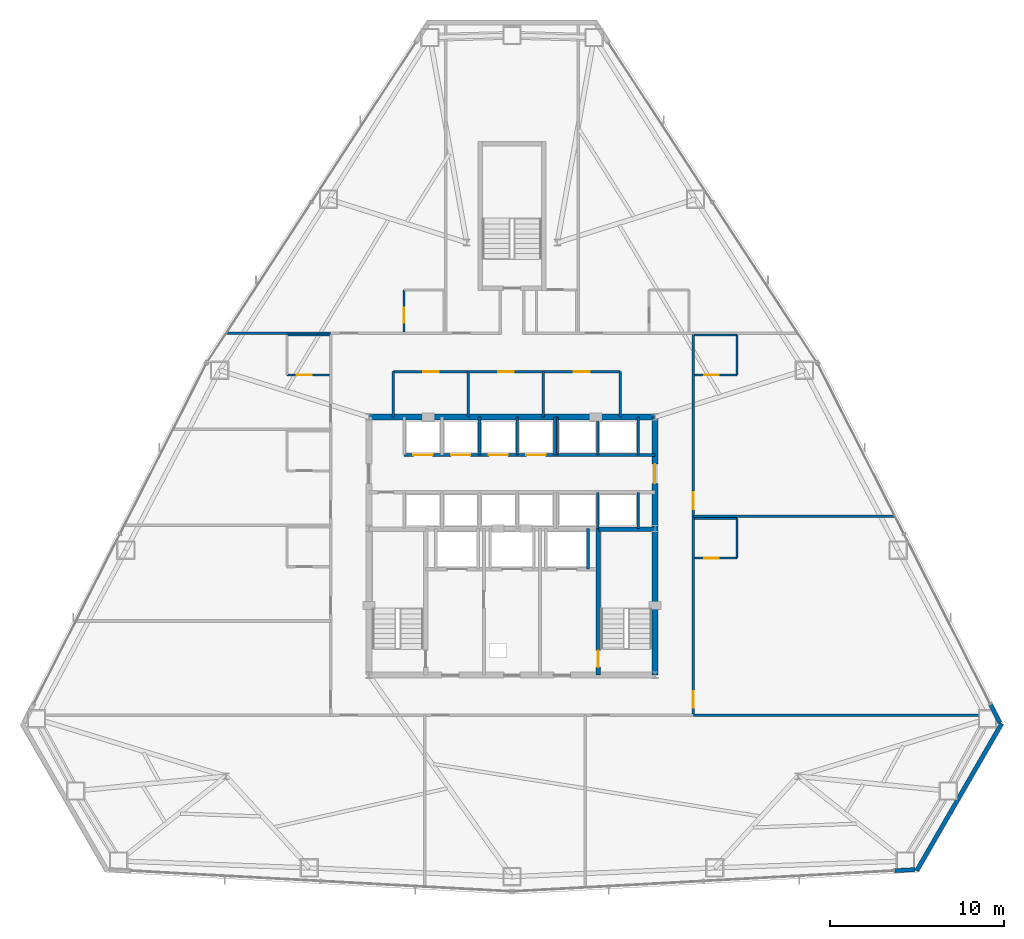
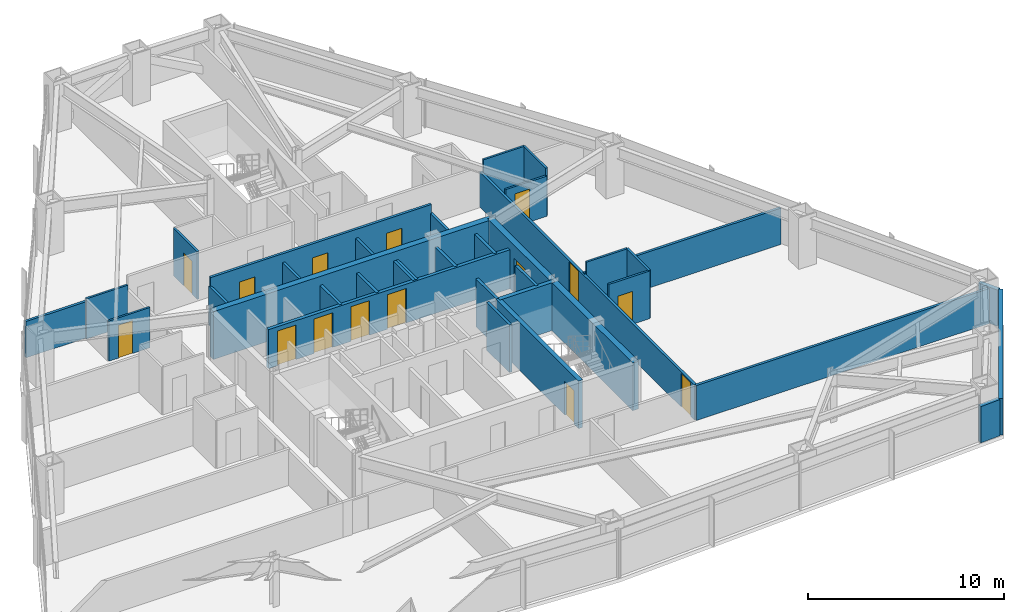
# One storey, part 10 of 12: 35 walls, 15 doors, 15 openings.
"""IFC4 building model written with IfcOpenShell, lengths in metres."""

import ifcopenshell
import ifcopenshell.guid

model = None  # the IFC model being written
_history = None  # IfcOwnerHistory: only IFC2X3 demands one
_inside = {}  # id of a spatial element -> (the spatial element, [elements in it])
_under = {}  # id of a project, library or spatial element -> (it, [spatial elements below it])
_declared = {}  # id of a project -> (the project, [libraries it declares])
_typed = {}  # id of a type object -> (the type object, [elements of that type])
_made_of = {}  # id of a material, layer set ... -> (it, [elements and type objects made of it])


def new_model(schema):
    """Start an empty IFC model of exactly this schema.

    Asked for "IFC4X3", IfcOpenShell would pick the latest addendum, in which some entities
    have other attributes; the version numbers below select the first issue.
    IFC2X3 requires an IfcOwnerHistory on every rooted entity: one is made here for all.
    """
    global model, _history
    if schema == "IFC4X3":
        model = ifcopenshell.file(schema_version=(4, 3, 0, 0))
    else:
        model = ifcopenshell.file(schema=schema)
    _inside.clear()
    _under.clear()
    _declared.clear()
    _typed.clear()
    _made_of.clear()
    _history = None
    if model.schema == "IFC2X3":
        org = make("IfcOrganization", Name="unknown")
        user = make(
            "IfcPersonAndOrganization",
            ThePerson=make("IfcPerson", FamilyName="unknown"),
            TheOrganization=org,
        )
        app = make(
            "IfcApplication",
            ApplicationDeveloper=org,
            Version="unknown",
            ApplicationFullName="unknown",
            ApplicationIdentifier="unknown",
        )
        _history = make(
            "IfcOwnerHistory",
            OwningUser=user,
            OwningApplication=app,
            ChangeAction="ADDED",
            CreationDate=0,
        )
    return model


def make(cls, **values):
    """One entity of the class cls with the attributes given. An attribute that is None is left unset."""
    return model.create_entity(
        cls, **{name: value for name, value in values.items() if value is not None}
    )


def rooted(cls, **values):
    """An entity with a GlobalId (a new one), such as an element, a storey or a relation."""
    return make(cls, GlobalId=ifcopenshell.guid.new(), OwnerHistory=_history, **values)


def si_unit(unit_type, name, prefix=None):
    """IfcSIUnit, for example si_unit("LENGTHUNIT", "METRE", prefix="MILLI")."""
    return make("IfcSIUnit", UnitType=unit_type, Prefix=prefix, Name=name)


def assignment(units):
    """IfcUnitAssignment: the units of a project."""
    return None if units is None else make("IfcUnitAssignment", Units=units)


def point(xyz):
    """IfcCartesianPoint."""
    return None if xyz is None else make("IfcCartesianPoint", Coordinates=xyz)


def direction(xyz):
    """IfcDirection."""
    return None if xyz is None else make("IfcDirection", DirectionRatios=xyz)


def frame(location, z_axis=None, x_axis=None):
    """IfcAxis2Placement3D, a coordinate frame: its origin and axes. An axis left out is left unset."""
    return make(
        "IfcAxis2Placement3D",
        Location=point(location),
        Axis=direction(z_axis),
        RefDirection=direction(x_axis),
    )


def frame_2d(location, x_axis=None):
    """IfcAxis2Placement2D, a coordinate frame in the plane: its origin and x axis."""
    return make(
        "IfcAxis2Placement2D", Location=point(location), RefDirection=direction(x_axis)
    )


def origin():
    """The frame at (0, 0, 0) with its axes left unset."""
    return frame((0.0, 0.0, 0.0))


def place(relative_to, where):
    """IfcLocalPlacement: puts the frame where relative to a parent placement (None: the world)."""
    return make(
        "IfcLocalPlacement", PlacementRelTo=relative_to, RelativePlacement=where
    )


def context(
    kind, dimensions, precision=None, world=None, true_north=None, identifier=None
):
    """IfcGeometricRepresentationContext, for example the 3D "Model" context."""
    return make(
        "IfcGeometricRepresentationContext",
        ContextIdentifier=identifier,
        ContextType=kind,
        CoordinateSpaceDimension=dimensions,
        Precision=precision,
        WorldCoordinateSystem=world,
        TrueNorth=true_north,
    )


def subcontext(parent, identifier, kind, view, scale=None):
    """IfcGeometricRepresentationSubContext, for example "Body" below "Model"."""
    return make(
        "IfcGeometricRepresentationSubContext",
        ContextIdentifier=identifier,
        ContextType=kind,
        ParentContext=parent,
        TargetScale=scale,
        TargetView=view,
    )


def project(units=None, contexts=None):
    """IfcProject with its units and contexts."""
    return rooted(
        "IfcProject",
        Name="project",
        RepresentationContexts=contexts,
        UnitsInContext=assignment(units),
    )


def spatial(cls, under=None, at=None, **own):
    """A site, building, storey or space (cls), placed at a placement, below another one or the project."""
    s = rooted(cls, ObjectPlacement=at, **own)
    if under is not None:
        _under.setdefault(under.id(), (under, []))[1].append(s)
    return s


def profile(cls, at=None, kind="AREA", **sizes):
    """A parametric profile (cls). Its sizes go by their IFC names, for example OverallWidth=200.0."""
    return make(cls, ProfileType=kind, Position=at, **sizes)


def rectangle(**sizes):
    """IfcRectangleProfileDef."""
    return profile("IfcRectangleProfileDef", **sizes)


def extrude(swept, where, along, depth):
    """IfcExtrudedAreaSolid: the profile swept, set in the frame where, extruded along a direction by depth."""
    return make(
        "IfcExtrudedAreaSolid",
        SweptArea=swept,
        Position=where,
        ExtrudedDirection=direction(along),
        Depth=depth,
    )


def shape(context_of_items, identifier, shape_type, items):
    """IfcShapeRepresentation: the items that make up one representation, for example the "Body"."""
    return make(
        "IfcShapeRepresentation",
        ContextOfItems=context_of_items,
        RepresentationIdentifier=identifier,
        RepresentationType=shape_type,
        Items=items,
    )


def material(Name=None, Category=None):
    """IfcMaterial."""
    return make("IfcMaterial", Name=Name, Category=Category)


def layer(
    of_material, thickness, ventilated=None, Name=None, Category=None, Priority=None
):
    """IfcMaterialLayer: one layer of a wall or slab, of a material (None: an air gap)."""
    return make(
        "IfcMaterialLayer",
        Material=of_material,
        LayerThickness=thickness,
        IsVentilated=ventilated,
        Name=Name,
        Category=Category,
        Priority=Priority,
    )


def layer_set(layers, Name=None):
    """IfcMaterialLayerSet."""
    return make("IfcMaterialLayerSet", MaterialLayers=layers, LayerSetName=Name)


def made_of(thing, what):
    """Note that an element or type object is made of a material, layer set ...; save() writes the relation."""
    if what is not None:
        _made_of.setdefault(what.id(), (what, []))[1].append(thing)
    return thing


def type_object(cls, material=None, **own):
    """A type object (cls), such as IfcWallType, which elements share."""
    return made_of(rooted(cls, **own), material)


def element(
    cls,
    number,
    at=None,
    inside=None,
    cuts=None,
    type_object=None,
    material=None,
    context=None,
    identifier="Body",
    shape_type=None,
    held_by="IfcProductDefinitionShape",
    body=None,
    shapes=None,
    **own,
):
    """One element of the class cls, such as IfcWall. Its Tag is "e" and its number.

    at: its placement. inside: the storey or other place that contains it. cuts: it is an
    opening in that element (IfcRelVoidsElement). A single representation is given by context,
    identifier, shape_type and body (its items); several are given by shapes. held_by: the class
    of the entity that holds the representations. save() writes the other relations.
    """
    e = rooted(cls, Tag="e%d" % number, ObjectPlacement=at, **own)
    if body is not None:
        shapes = [shape(context, identifier, shape_type, body)]
    if shapes is not None:
        e.Representation = make(held_by, Representations=shapes)
    if inside is not None:
        _inside.setdefault(inside.id(), (inside, []))[1].append(e)
    if cuts is not None:
        rooted(
            "IfcRelVoidsElement", RelatingBuildingElement=cuts, RelatedOpeningElement=e
        )
    if type_object is not None:
        _typed.setdefault(type_object.id(), (type_object, []))[1].append(e)
    return made_of(e, material)


def fill(opening, filler):
    """IfcRelFillsElement: the door or window that sits in an opening."""
    return rooted(
        "IfcRelFillsElement",
        RelatingOpeningElement=opening,
        RelatedBuildingElement=filler,
    )


def aggregate(whole, parts):
    """IfcRelAggregates: a whole, such as a stair, and the parts it consists of."""
    return rooted("IfcRelAggregates", RelatingObject=whole, RelatedObjects=parts)


def save(model, path):
    """Write the relations noted so far, then the file.

    IfcRelAggregates (storeys below a building ...), IfcRelContainedInSpatialStructure (elements
    in a storey), IfcRelDefinesByType, IfcRelAssociatesMaterial and IfcRelDeclares: one each for
    every whole, place, type object, material and project.
    """
    for whole, parts in _under.values():
        aggregate(whole, parts)
    for where, things in _inside.values():
        rooted(
            "IfcRelContainedInSpatialStructure",
            RelatedElements=things,
            RelatingStructure=where,
        )
    for kind, things in _typed.values():
        rooted("IfcRelDefinesByType", RelatedObjects=things, RelatingType=kind)
    for what, things in _made_of.values():
        rooted("IfcRelAssociatesMaterial", RelatedObjects=things, RelatingMaterial=what)
    for by, libraries in _declared.values():
        rooted("IfcRelDeclares", RelatingContext=by, RelatedDefinitions=libraries)
    model.write(path)


model = new_model("IFC4")

# Units and contexts
model_context = context("Model", 3, precision=1e-05, world=origin(), true_north=direction((0.0, 1.0)))
body_context = subcontext(model_context, "Body", "Model", "MODEL_VIEW")
ifc_project = project(units=[si_unit("LENGTHUNIT", "METRE"), si_unit("AREAUNIT", "SQUARE_METRE"), si_unit("VOLUMEUNIT", "CUBIC_METRE"), si_unit("PLANEANGLEUNIT", "RADIAN"), si_unit("MASSUNIT", "GRAM", prefix="KILO")], contexts=[model_context])

# Site, building, storey
site_placement = place(None, origin())
site = spatial("IfcSite", under=ifc_project, at=site_placement, CompositionType="ELEMENT")
building_placement = place(site_placement, origin())
building = spatial("IfcBuilding", under=site, at=building_placement, Name="Varakhsha Concourse Tower", CompositionType="ELEMENT")
storey_placement = place(building_placement, frame((0.0, 0.0, 79.800048828125)))
storey = spatial("IfcBuildingStorey", under=building, at=storey_placement, Name="L22", CompositionType="ELEMENT", Elevation=79.800048828125)

# Wall
ifc_material_1 = material(Name="Concrete fc 65 MPa", Category="concrete")
ifc_layer_1 = layer(ifc_material_1, 0.35009765625, Name="WL-CORE-350")
ifc_layer_set_1 = layer_set([ifc_layer_1], Name="Concrete fc 65 MPa")
wall_type_1 = type_object("IfcWallType", Name="WL-CORE-350", PredefinedType="SHEAR", material=ifc_layer_set_1)
wall_1_placement = place(storey_placement, frame((31.800048828125, 31.199951171875, 0.0), z_axis=(0.0, 0.0, 1.0), x_axis=(1.0, 0.0, 0.0)))
element("IfcWall", 1, at=wall_1_placement, inside=storey, type_object=wall_type_1, Name="L22 Wall CWALL-N-L22", PredefinedType="SHEAR", context=body_context, shape_type="SweptSolid", body=[
    extrude(rectangle(XDim=16.39990234375, YDim=0.35009765625, at=frame_2d((8.199951171875, 0.0))), origin(), (0.0, 0.0, 1.0), 2.969970703125),
])

# Wall, opening, door
wall_2_placement = place(storey_placement, frame((48.199951171875, 16.39990234375, 0.0), z_axis=(0.0, 0.0, 1.0), x_axis=(0.0, 1.0, 0.0)))
wall_2 = element("IfcWall", 2, at=wall_2_placement, inside=storey, type_object=wall_type_1, Name="L22 Wall CWALL-E-L22", PredefinedType="SHEAR", context=body_context, shape_type="SweptSolid", body=[
    extrude(rectangle(XDim=14.800048828125, YDim=0.35009765625, at=frame_2d((7.39990234375, 0.0))), origin(), (0.0, 0.0, 1.0), 2.969970703125),
])
opening_1_placement = place(wall_2_placement, frame((11.0, 0.0, 0.0)))
opening_1 = element("IfcOpeningElement", 3, at=opening_1_placement, cuts=wall_2, Name="Opening DL-01", PredefinedType="OPENING", context=body_context, shape_type="SweptSolid", body=[
    extrude(rectangle(XDim=1.10009765625, YDim=2.14990234375, at=frame_2d((0.550048828125, 1.074951171875))), frame((0.0, 0.18505859375, 0.0), z_axis=(0.0, -1.0, 0.0), x_axis=(1.0, 0.0, 0.0)), (0.0, 0.0, 1.0), 0.3701171875),
])
ifc_material_2 = material(Name="Anodised Bronze Architectural Aluminium AA 6063-T6", Category="aluminium")
door_type_1 = type_object("IfcDoorType", Name="DR-LOB-1100", OperationType="NOTDEFINED", PredefinedType="DOOR", material=ifc_material_2)
door_1_placement = place(opening_1_placement, origin())
door_1 = element("IfcDoor", 4, at=door_1_placement, inside=storey, type_object=door_type_1, Name="L22 Lift Lobby East Concourse Door", OperationType="SINGLE_SWING_RIGHT", OverallHeight=2.14990234375, OverallWidth=1.10009765625, PredefinedType="DOOR", context=body_context, shape_type="SweptSolid", body=[
    extrude(rectangle(XDim=1.10009765625, YDim=2.14990234375, at=frame_2d((0.550048828125, 1.074951171875))), frame((0.0, 0.02490234375, 0.0), z_axis=(0.0, -1.0, 0.0), x_axis=(1.0, 0.0, 0.0)), (0.0, 0.0, 1.0), 0.050048828125),
])
fill(opening_1, door_1)

# Walls
ifc_material_3 = material(Name="Concrete fc 45 MPa", Category="concrete")
ifc_layer_2 = layer(ifc_material_3, 0.239990234375, Name="WL-EXT-CRN-240")
ifc_layer_set_2 = layer_set([ifc_layer_2], Name="Concrete fc 45 MPa")
wall_type_2 = type_object("IfcWallType", Name="WL-EXT-CRN-240", PredefinedType="SHEAR", material=ifc_layer_set_2)
wall_3_placement = place(storey_placement, frame((61.9501953125, 5.184814453125, 0.0), z_axis=(0.0, 0.0, 1.0), x_axis=(0.998530623712, 0.054190345166, 0.0)))
element("IfcWall", 5, at=wall_3_placement, inside=storey, type_object=wall_type_2, Name="L22 Wind-Corner Shoulder Wall F6", PredefinedType="SHEAR", context=body_context, shape_type="SweptSolid", body=[
    extrude(rectangle(XDim=1.162353515625, YDim=0.239990234375, at=frame_2d((0.5810546875, 0.0))), origin(), (0.0, 0.0, 1.0), 2.2529296875),
])
wall_4_placement = place(storey_placement, frame((68.072021484375, 13.61767578125, 0.0), z_axis=(0.0, 0.0, 1.0), x_axis=(-0.499984915177, -0.866034112836, 0.0)))
element("IfcWall", 6, at=wall_4_placement, inside=storey, type_object=wall_type_2, Name="L22 Chamfer Wind-Corner Insulated Wall F7", PredefinedType="SHEAR", context=body_context, shape_type="SweptSolid", body=[
    extrude(rectangle(XDim=9.742919921875, YDim=0.239990234375, at=frame_2d((4.87158203125, 0.0))), origin(), (0.0, 0.0, 1.0), 2.2529296875),
])
wall_5_placement = place(storey_placement, frame((67.968505859375, 13.661376953125, 0.0), z_axis=(0.0, 0.0, 1.0), x_axis=(-0.452163091908, 0.891935276977, 0.0)))
element("IfcWall", 7, at=wall_5_placement, inside=storey, type_object=wall_type_2, Name="L22 Wind-Corner Shoulder Wall F8", PredefinedType="SHEAR", context=body_context, shape_type="SweptSolid", body=[
    extrude(rectangle(XDim=1.16259765625, YDim=0.239990234375, at=frame_2d((0.581298828125, 0.0))), origin(), (0.0, 0.0, 1.0), 2.2529296875),
])

# Wall, opening, door
ifc_material_4 = material(Name="Acoustic Gypsum Board Partition Assembly", Category="gypsum")
ifc_layer_3 = layer(ifc_material_4, 0.1201171875, Name="WL-PART-120")
ifc_layer_set_3 = layer_set([ifc_layer_3], Name="Acoustic Gypsum Board Partition Assembly")
wall_type_3 = type_object("IfcWallType", Name="WL-PART-120", PredefinedType="PARTITIONING", material=ifc_layer_set_3)
wall_6_placement = place(storey_placement, frame((27.110107421875, 33.610107421875, 0.0), z_axis=(0.0, 0.0, 1.0), x_axis=(1.0, 0.0, 0.0)))
wall_6 = element("IfcWall", 8, at=wall_6_placement, inside=storey, type_object=wall_type_3, Name="L22 Wall ENSW-S-L22-H07", PredefinedType="PARTITIONING", context=body_context, shape_type="SweptSolid", body=[
    extrude(rectangle(XDim=2.429931640625, YDim=0.1201171875, at=frame_2d((1.21484375, 0.0))), origin(), (0.0, 0.0, 1.0), 2.5029296875),
])
opening_2_placement = place(wall_6_placement, frame((0.550048828125, 0.0, 0.0)))
opening_2 = element("IfcOpeningElement", 9, at=opening_2_placement, cuts=wall_6, Name="Opening DI-01", PredefinedType="OPENING", context=body_context, shape_type="SweptSolid", body=[
    extrude(rectangle(XDim=0.85009765625, YDim=2.050048828125, at=frame_2d((0.425048828125, 1.02490234375))), frame((0.0, 0.070068359375, 0.0), z_axis=(0.0, -1.0, 0.0), x_axis=(1.0, 0.0, 0.0)), (0.0, 0.0, 1.0), 0.14013671875),
])
ifc_material_5 = material(Name="Architectural Walnut Acoustic Timber Door", Category="wood")
door_type_2 = type_object("IfcDoorType", Name="DR-INT-850", OperationType="NOTDEFINED", PredefinedType="DOOR", material=ifc_material_5)
door_2_placement = place(opening_2_placement, origin())
door_2 = element("IfcDoor", 10, at=door_2_placement, inside=storey, type_object=door_type_2, Name="L22 En-suite Bathroom Door L22-H07", OperationType="SINGLE_SWING_RIGHT", OverallHeight=2.050048828125, OverallWidth=0.85009765625, PredefinedType="DOOR", context=body_context, shape_type="SweptSolid", body=[
    extrude(rectangle(XDim=0.85009765625, YDim=2.050048828125, at=frame_2d((0.425048828125, 1.02490234375))), frame((0.0, 0.02490234375, 0.0), z_axis=(0.0, -1.0, 0.0), x_axis=(1.0, 0.0, 0.0)), (0.0, 0.0, 1.0), 0.050048828125),
])
fill(opening_2, door_2)

# Walls
wall_7_placement = place(storey_placement, frame((27.110107421875, 35.889892578125, 0.0), z_axis=(0.0, 0.0, 1.0), x_axis=(1.0, 0.0, 0.0)))
element("IfcWall", 11, at=wall_7_placement, inside=storey, type_object=wall_type_3, Name="L22 Wall ENSW-N-L22-H07", PredefinedType="PARTITIONING", context=body_context, shape_type="SweptSolid", body=[
    extrude(rectangle(XDim=2.429931640625, YDim=0.1201171875, at=frame_2d((1.21484375, 0.0))), origin(), (0.0, 0.0, 1.0), 2.5029296875),
])
wall_8_placement = place(storey_placement, frame((52.889892578125, 23.110107421875, 0.0), z_axis=(0.0, 0.0, 1.0), x_axis=(0.0, 1.0, 0.0)))
element("IfcWall", 12, at=wall_8_placement, inside=storey, type_object=wall_type_3, Name="L22 Wall ENSW-E-L22-H08", PredefinedType="PARTITIONING", context=body_context, shape_type="SweptSolid", body=[
    extrude(rectangle(XDim=2.27978515625, YDim=0.1201171875, at=frame_2d((1.139892578125, 0.0))), origin(), (0.0, 0.0, 1.0), 2.969970703125),
])

# Wall, opening, door
wall_9_placement = place(storey_placement, frame((50.4599609375, 23.110107421875, 0.0), z_axis=(0.0, 0.0, 1.0), x_axis=(1.0, 0.0, 0.0)))
wall_9 = element("IfcWall", 13, at=wall_9_placement, inside=storey, type_object=wall_type_3, Name="L22 Wall ENSW-S-L22-H08", PredefinedType="PARTITIONING", context=body_context, shape_type="SweptSolid", body=[
    extrude(rectangle(XDim=2.429931640625, YDim=0.1201171875, at=frame_2d((1.21484375, 0.0))), origin(), (0.0, 0.0, 1.0), 2.969970703125),
])
opening_3_placement = place(wall_9_placement, frame((0.550048828125, 0.0, 0.0)))
opening_3 = element("IfcOpeningElement", 14, at=opening_3_placement, cuts=wall_9, Name="Opening DI-01", PredefinedType="OPENING", context=body_context, shape_type="SweptSolid", body=[
    extrude(rectangle(XDim=0.85009765625, YDim=2.050048828125, at=frame_2d((0.425048828125, 1.02490234375))), frame((0.0, 0.070068359375, 0.0), z_axis=(0.0, -1.0, 0.0), x_axis=(1.0, 0.0, 0.0)), (0.0, 0.0, 1.0), 0.14013671875),
])
door_3_placement = place(opening_3_placement, origin())
door_3 = element("IfcDoor", 15, at=door_3_placement, inside=storey, type_object=door_type_2, Name="L22 En-suite Bathroom Door L22-H08", OperationType="SINGLE_SWING_RIGHT", OverallHeight=2.050048828125, OverallWidth=0.85009765625, PredefinedType="DOOR", context=body_context, shape_type="SweptSolid", body=[
    extrude(rectangle(XDim=0.85009765625, YDim=2.050048828125, at=frame_2d((0.425048828125, 1.02490234375))), frame((0.0, 0.02490234375, 0.0), z_axis=(0.0, -1.0, 0.0), x_axis=(1.0, 0.0, 0.0)), (0.0, 0.0, 1.0), 0.050048828125),
])
fill(opening_3, door_3)

# Walls
wall_10_placement = place(storey_placement, frame((50.4599609375, 25.389892578125, 0.0), z_axis=(0.0, 0.0, 1.0), x_axis=(1.0, 0.0, 0.0)))
element("IfcWall", 16, at=wall_10_placement, inside=storey, type_object=wall_type_3, Name="L22 Wall ENSW-N-L22-H08", PredefinedType="PARTITIONING", context=body_context, shape_type="SweptSolid", body=[
    extrude(rectangle(XDim=2.429931640625, YDim=0.1201171875, at=frame_2d((1.21484375, 0.0))), origin(), (0.0, 0.0, 1.0), 2.969970703125),
])
wall_11_placement = place(storey_placement, frame((52.889892578125, 33.610107421875, 0.0), z_axis=(0.0, 0.0, 1.0), x_axis=(0.0, 1.0, 0.0)))
element("IfcWall", 17, at=wall_11_placement, inside=storey, type_object=wall_type_3, Name="L22 Wall ENSW-E-L22-H09", PredefinedType="PARTITIONING", context=body_context, shape_type="SweptSolid", body=[
    extrude(rectangle(XDim=2.27978515625, YDim=0.1201171875, at=frame_2d((1.139892578125, 0.0))), origin(), (0.0, 0.0, 1.0), 2.969970703125),
])

# Wall, opening, door
wall_12_placement = place(storey_placement, frame((50.4599609375, 33.610107421875, 0.0), z_axis=(0.0, 0.0, 1.0), x_axis=(1.0, 0.0, 0.0)))
wall_12 = element("IfcWall", 18, at=wall_12_placement, inside=storey, type_object=wall_type_3, Name="L22 Wall ENSW-S-L22-H09", PredefinedType="PARTITIONING", context=body_context, shape_type="SweptSolid", body=[
    extrude(rectangle(XDim=2.429931640625, YDim=0.1201171875, at=frame_2d((1.21484375, 0.0))), origin(), (0.0, 0.0, 1.0), 2.5029296875),
])
opening_4_placement = place(wall_12_placement, frame((0.550048828125, 0.0, 0.0)))
opening_4 = element("IfcOpeningElement", 19, at=opening_4_placement, cuts=wall_12, Name="Opening DI-01", PredefinedType="OPENING", context=body_context, shape_type="SweptSolid", body=[
    extrude(rectangle(XDim=0.85009765625, YDim=2.050048828125, at=frame_2d((0.425048828125, 1.02490234375))), frame((0.0, 0.070068359375, 0.0), z_axis=(0.0, -1.0, 0.0), x_axis=(1.0, 0.0, 0.0)), (0.0, 0.0, 1.0), 0.14013671875),
])
door_4_placement = place(opening_4_placement, origin())
door_4 = element("IfcDoor", 20, at=door_4_placement, inside=storey, type_object=door_type_2, Name="L22 En-suite Bathroom Door L22-H09", OperationType="SINGLE_SWING_RIGHT", OverallHeight=2.050048828125, OverallWidth=0.85009765625, PredefinedType="DOOR", context=body_context, shape_type="SweptSolid", body=[
    extrude(rectangle(XDim=0.85009765625, YDim=2.050048828125, at=frame_2d((0.425048828125, 1.02490234375))), frame((0.0, 0.02490234375, 0.0), z_axis=(0.0, -1.0, 0.0), x_axis=(1.0, 0.0, 0.0)), (0.0, 0.0, 1.0), 0.050048828125),
])
fill(opening_4, door_4)

# Wall
wall_13_placement = place(storey_placement, frame((50.4599609375, 35.889892578125, 0.0), z_axis=(0.0, 0.0, 1.0), x_axis=(1.0, 0.0, 0.0)))
element("IfcWall", 21, at=wall_13_placement, inside=storey, type_object=wall_type_3, Name="L22 Wall ENSW-N-L22-H09", PredefinedType="PARTITIONING", context=body_context, shape_type="SweptSolid", body=[
    extrude(rectangle(XDim=2.429931640625, YDim=0.1201171875, at=frame_2d((1.21484375, 0.0))), origin(), (0.0, 0.0, 1.0), 2.969970703125),
])

# Wall, opening, door
wall_14_placement = place(storey_placement, frame((33.81005859375, 36.06005859375, 0.0), z_axis=(0.0, 0.0, 1.0), x_axis=(0.0, 1.0, 0.0)))
wall_14 = element("IfcWall", 22, at=wall_14_placement, inside=storey, type_object=wall_type_3, Name="L22 Wall ENSW-W-L22-H10", PredefinedType="PARTITIONING", context=body_context, shape_type="SweptSolid", body=[
    extrude(rectangle(XDim=2.429931640625, YDim=0.1201171875, at=frame_2d((1.21484375, 0.0))), origin(), (0.0, 0.0, 1.0), 2.969970703125),
])
opening_5_placement = place(wall_14_placement, frame((0.550048828125, 0.0, 0.0)))
opening_5 = element("IfcOpeningElement", 23, at=opening_5_placement, cuts=wall_14, Name="Opening DI-01", PredefinedType="OPENING", context=body_context, shape_type="SweptSolid", body=[
    extrude(rectangle(XDim=0.85009765625, YDim=2.050048828125, at=frame_2d((0.425048828125, 1.02490234375))), frame((0.0, 0.070068359375, 0.0), z_axis=(0.0, -1.0, 0.0), x_axis=(1.0, 0.0, 0.0)), (0.0, 0.0, 1.0), 0.14013671875),
])
door_5_placement = place(opening_5_placement, origin())
door_5 = element("IfcDoor", 24, at=door_5_placement, inside=storey, type_object=door_type_2, Name="L22 En-suite Bathroom Door L22-H10", OperationType="SINGLE_SWING_RIGHT", OverallHeight=2.050048828125, OverallWidth=0.85009765625, PredefinedType="DOOR", context=body_context, shape_type="SweptSolid", body=[
    extrude(rectangle(XDim=0.85009765625, YDim=2.050048828125, at=frame_2d((0.425048828125, 1.02490234375))), frame((0.0, 0.02490234375, 0.0), z_axis=(0.0, -1.0, 0.0), x_axis=(1.0, 0.0, 0.0)), (0.0, 0.0, 1.0), 0.050048828125),
])
fill(opening_5, door_5)

# Wall, openings, doors
ifc_material_6 = material(Name="Fire-Rated Type X Gypsum Partition Assembly", Category="gypsum")
ifc_layer_4 = layer(ifc_material_6, 0.14990234375, Name="WL-PART-150")
ifc_layer_set_4 = layer_set([ifc_layer_4], Name="Fire-Rated Type X Gypsum Partition Assembly")
wall_type_4 = type_object("IfcWallType", Name="WL-PART-150", PredefinedType="PARTITIONING", material=ifc_layer_set_4)
wall_15_placement = place(storey_placement, frame((33.199951171875, 33.800048828125, 0.0), z_axis=(0.0, 0.0, 1.0), x_axis=(1.0, 0.0, 0.0)))
wall_15 = element("IfcWall", 25, at=wall_15_placement, inside=storey, type_object=wall_type_4, Name="L22 Wall NBOH-N-L22", PredefinedType="PARTITIONING", context=body_context, shape_type="SweptSolid", body=[
    extrude(rectangle(XDim=13.0, YDim=0.14990234375, at=frame_2d((6.5, 0.0))), origin(), (0.0, 0.0, 1.0), 2.969970703125),
])
opening_6_placement = place(wall_15_placement, frame((1.699951171875, 0.0, 0.0)))
opening_6 = element("IfcOpeningElement", 26, at=opening_6_placement, cuts=wall_15, Name="Opening DF-06", PredefinedType="OPENING", context=body_context, shape_type="SweptSolid", body=[
    extrude(rectangle(XDim=0.89990234375, YDim=2.10009765625, at=frame_2d((0.449951171875, 1.050048828125))), frame((0.0, 0.0849609375, 0.0), z_axis=(0.0, -1.0, 0.0), x_axis=(1.0, 0.0, 0.0)), (0.0, 0.0, 1.0), 0.169921875),
])
opening_7_placement = place(wall_15_placement, frame((6.0, 0.0, 0.0)))
opening_7 = element("IfcOpeningElement", 27, at=opening_7_placement, cuts=wall_15, Name="Opening DF-06", PredefinedType="OPENING", context=body_context, shape_type="SweptSolid", body=[
    extrude(rectangle(XDim=0.89990234375, YDim=2.10009765625, at=frame_2d((0.449951171875, 1.050048828125))), frame((0.0, 0.0849609375, 0.0), z_axis=(0.0, -1.0, 0.0), x_axis=(1.0, 0.0, 0.0)), (0.0, 0.0, 1.0), 0.169921875),
])
opening_8_placement = place(wall_15_placement, frame((10.35009765625, 0.0, 0.0)))
opening_8 = element("IfcOpeningElement", 28, at=opening_8_placement, cuts=wall_15, Name="Opening DF-06", PredefinedType="OPENING", context=body_context, shape_type="SweptSolid", body=[
    extrude(rectangle(XDim=0.89990234375, YDim=2.10009765625, at=frame_2d((0.449951171875, 1.050048828125))), frame((0.0, 0.0849609375, 0.0), z_axis=(0.0, -1.0, 0.0), x_axis=(1.0, 0.0, 0.0)), (0.0, 0.0, 1.0), 0.169921875),
])
ifc_material_7 = material(Name="Hollow Galvanised Steel Fire Door Assembly", Category="steel")
door_type_3 = type_object("IfcDoorType", Name="DR-FD60-900", OperationType="NOTDEFINED", PredefinedType="DOOR", material=ifc_material_7)
door_6_placement = place(opening_6_placement, origin())
door_6 = element("IfcDoor", 29, at=door_6_placement, inside=storey, type_object=door_type_3, Name="L22 Housekeeping and Linen Room Door", OperationType="SINGLE_SWING_LEFT", OverallHeight=2.10009765625, OverallWidth=0.89990234375, PredefinedType="DOOR", context=body_context, shape_type="SweptSolid", body=[
    extrude(rectangle(XDim=0.89990234375, YDim=2.10009765625, at=frame_2d((0.449951171875, 1.050048828125))), frame((0.0, 0.02490234375, 0.0), z_axis=(0.0, -1.0, 0.0), x_axis=(1.0, 0.0, 0.0)), (0.0, 0.0, 1.0), 0.050048828125),
])
fill(opening_6, door_6)
door_7_placement = place(opening_7_placement, origin())
door_7 = element("IfcDoor", 30, at=door_7_placement, inside=storey, type_object=door_type_3, Name="L22 Accessible WC Door", OperationType="SINGLE_SWING_RIGHT", OverallHeight=2.10009765625, OverallWidth=0.89990234375, PredefinedType="DOOR", context=body_context, shape_type="SweptSolid", body=[
    extrude(rectangle(XDim=0.89990234375, YDim=2.10009765625, at=frame_2d((0.449951171875, 1.050048828125))), frame((0.0, 0.02490234375, 0.0), z_axis=(0.0, -1.0, 0.0), x_axis=(1.0, 0.0, 0.0)), (0.0, 0.0, 1.0), 0.050048828125),
])
fill(opening_7, door_7)
door_8_placement = place(opening_8_placement, origin())
door_8 = element("IfcDoor", 31, at=door_8_placement, inside=storey, type_object=door_type_3, Name="L22 Staff Restroom WC Door", OperationType="SINGLE_SWING_LEFT", OverallHeight=2.10009765625, OverallWidth=0.89990234375, PredefinedType="DOOR", context=body_context, shape_type="SweptSolid", body=[
    extrude(rectangle(XDim=0.89990234375, YDim=2.10009765625, at=frame_2d((0.449951171875, 1.050048828125))), frame((0.0, 0.02490234375, 0.0), z_axis=(0.0, -1.0, 0.0), x_axis=(1.0, 0.0, 0.0)), (0.0, 0.0, 1.0), 0.050048828125),
])
fill(opening_8, door_8)

# Walls
for number, where, z_axis, x_axis, name in (
    (32, (33.199951171875, 31.199951171875, 0.0), (0.0, 0.0, 1.0), (0.0, 1.0, 0.0), "L22 Wall NBOH-W-L22"),
    (33, (46.199951171875, 31.199951171875, 0.0), (0.0, 0.0, 1.0), (0.0, 1.0, 0.0), "L22 Wall NBOH-E-L22"),
    (34, (37.5, 31.199951171875, 0.0), (0.0, 0.0, 1.0), (0.0, 1.0, 0.0), "L22 Wall NBOH-D1-L22"),
    (35, (41.800048828125, 31.199951171875, 0.0), (0.0, 0.0, 1.0), (0.0, 1.0, 0.0), "L22 Wall NBOH-D2-L22"),
):
    element("IfcWall", number, at=place(storey_placement, frame(where, z_axis=z_axis, x_axis=x_axis)), inside=storey, type_object=wall_type_4, Name=name, PredefinedType="PARTITIONING", context=body_context, shape_type="SweptSolid", body=[
        extrude(rectangle(XDim=2.60009765625, YDim=0.14990234375, at=frame_2d((1.300048828125, 0.0))), origin(), (0.0, 0.0, 1.0), 2.4208984375),
    ])

# Wall, openings, doors
wall_16_placement = place(storey_placement, frame((50.39990234375, 14.10009765625, 0.0), z_axis=(0.0, 0.0, 1.0), x_axis=(0.0, 1.0, 0.0)))
wall_16 = element("IfcWall", 36, at=wall_16_placement, inside=storey, type_object=wall_type_4, Name="L22 Wall CRW-E-L22", PredefinedType="PARTITIONING", context=body_context, shape_type="SweptSolid", body=[
    extrude(rectangle(XDim=21.89990234375, YDim=0.14990234375, at=frame_2d((10.949951171875, 0.0))), origin(), (0.0, 0.0, 1.0), 2.180908203125),
])
opening_9_placement = place(wall_16_placement, frame((0.419921875, 0.0, 0.0)))
opening_9 = element("IfcOpeningElement", 37, at=opening_9_placement, cuts=wall_16, Name="Opening DF-05", PredefinedType="OPENING", context=body_context, shape_type="SweptSolid", body=[
    extrude(rectangle(XDim=0.949951171875, YDim=2.10009765625, at=frame_2d((0.47509765625, 1.050048828125))), frame((0.0, 0.0849609375, 0.0), z_axis=(0.0, -1.0, 0.0), x_axis=(1.0, 0.0, 0.0)), (0.0, 0.0, 1.0), 0.169921875),
])
opening_10_placement = place(wall_16_placement, frame((11.820068359375, 0.0, 0.0)))
opening_10 = element("IfcOpeningElement", 38, at=opening_10_placement, cuts=wall_16, Name="Opening DF-05", PredefinedType="OPENING", context=body_context, shape_type="SweptSolid", body=[
    extrude(rectangle(XDim=0.949951171875, YDim=2.10009765625, at=frame_2d((0.47509765625, 1.050048828125))), frame((0.0, 0.0849609375, 0.0), z_axis=(0.0, -1.0, 0.0), x_axis=(1.0, 0.0, 0.0)), (0.0, 0.0, 1.0), 0.169921875),
])
door_type_4 = type_object("IfcDoorType", Name="DR-FD60-950", OperationType="NOTDEFINED", PredefinedType="DOOR", material=ifc_material_7)
door_9_placement = place(opening_9_placement, origin())
door_9 = element("IfcDoor", 39, at=door_9_placement, inside=storey, type_object=door_type_4, Name="L22 Hotel Corner Suite L22-H08 Entry Door", OperationType="SINGLE_SWING_RIGHT", OverallHeight=2.10009765625, OverallWidth=0.949951171875, PredefinedType="DOOR", context=body_context, shape_type="SweptSolid", body=[
    extrude(rectangle(XDim=0.949951171875, YDim=2.10009765625, at=frame_2d((0.47509765625, 1.050048828125))), frame((0.0, 0.02490234375, 0.0), z_axis=(0.0, -1.0, 0.0), x_axis=(1.0, 0.0, 0.0)), (0.0, 0.0, 1.0), 0.050048828125),
])
fill(opening_9, door_9)
door_10_placement = place(opening_10_placement, origin())
door_10 = element("IfcDoor", 40, at=door_10_placement, inside=storey, type_object=door_type_4, Name="L22 Hotel Corner Suite L22-H09 Entry Door", OperationType="SINGLE_SWING_LEFT", OverallHeight=2.10009765625, OverallWidth=0.949951171875, PredefinedType="DOOR", context=body_context, shape_type="SweptSolid", body=[
    extrude(rectangle(XDim=0.949951171875, YDim=2.10009765625, at=frame_2d((0.47509765625, 1.050048828125))), frame((0.0, 0.02490234375, 0.0), z_axis=(0.0, -1.0, 0.0), x_axis=(1.0, 0.0, 0.0)), (0.0, 0.0, 1.0), 0.050048828125),
])
fill(opening_10, door_10)

# Walls
wall_17_placement = place(storey_placement, frame((23.611328125, 36.0, 0.0), z_axis=(0.0, 0.0, 1.0), x_axis=(1.0, 0.0, 0.0)))
element("IfcWall", 41, at=wall_17_placement, inside=storey, type_object=wall_type_4, Name="L22 Wall HDIV-WBN-L22", PredefinedType="PARTITIONING", context=body_context, shape_type="SweptSolid", body=[
    extrude(rectangle(XDim=5.98876953125, YDim=0.14990234375, at=frame_2d((2.994384765625, 0.0))), origin(), (0.0, 0.0, 1.0), 2.258056640625),
])
wall_18_placement = place(storey_placement, frame((50.39990234375, 14.10009765625, 0.0), z_axis=(0.0, 0.0, 1.0), x_axis=(1.0, 0.0, 0.0)))
element("IfcWall", 42, at=wall_18_placement, inside=storey, type_object=wall_type_4, Name="L22 Wall HDIV-EB0-L22", PredefinedType="PARTITIONING", context=body_context, shape_type="SweptSolid", body=[
    extrude(rectangle(XDim=17.340576171875, YDim=0.14990234375, at=frame_2d((8.67041015625, 0.0))), origin(), (0.0, 0.0, 1.0), 2.180908203125),
])
wall_19_placement = place(storey_placement, frame((50.39990234375, 25.5, 0.0), z_axis=(0.0, 0.0, 1.0), x_axis=(1.0, 0.0, 0.0)))
element("IfcWall", 43, at=wall_19_placement, inside=storey, type_object=wall_type_4, Name="L22 Wall HDIV-E1-L22", PredefinedType="PARTITIONING", context=body_context, shape_type="SweptSolid", body=[
    extrude(rectangle(XDim=11.5595703125, YDim=0.14990234375, at=frame_2d((5.77978515625, 0.0))), origin(), (0.0, 0.0, 1.0), 2.258056640625),
])
ifc_layer_5 = layer(ifc_material_6, 0.199951171875, Name="WL-SHAFT-220")
ifc_layer_set_5 = layer_set([ifc_layer_5], Name="Fire-Rated Type X Gypsum Partition Assembly")
wall_type_5 = type_object("IfcWallType", Name="WL-SHAFT-220", PredefinedType="SOLIDWALL", material=ifc_layer_set_5)
wall_20_placement = place(storey_placement, frame((44.35009765625, 22.47998046875, 0.0), z_axis=(0.0, 0.0, 1.0), x_axis=(0.0, 1.0, 0.0)))
element("IfcWall", 44, at=wall_20_placement, inside=storey, type_object=wall_type_5, Name="L22 Wall SHW-FFL-2-E-L22", PredefinedType="SOLIDWALL", context=body_context, shape_type="SweptSolid", body=[
    extrude(rectangle(XDim=2.320068359375, YDim=0.159912109375, at=frame_2d((1.16015625, 0.0))), origin(), (0.0, 0.0, 1.0), 2.969970703125),
])

# Wall, openings, doors
wall_21_placement = place(storey_placement, frame((33.820068359375, 29.02001953125, 0.0), z_axis=(0.0, 0.0, 1.0), x_axis=(1.0, 0.0, 0.0)))
wall_21 = element("IfcWall", 45, at=wall_21_placement, inside=storey, type_object=wall_type_5, Name="L22 Wall PLW-N-L22", PredefinedType="SOLIDWALL", context=body_context, shape_type="SweptSolid", body=[
    extrude(rectangle(XDim=14.3798828125, YDim=0.199951171875, at=frame_2d((7.18994140625, 0.0))), origin(), (0.0, 0.0, 1.0), 2.4208984375),
])
opening_11_placement = place(wall_21_placement, frame((0.530029296875, 0.0, 0.0)))
opening_11 = element("IfcOpeningElement", 46, at=opening_11_placement, cuts=wall_21, Name="Opening LD-LF-P01", PredefinedType="OPENING", context=body_context, shape_type="SweptSolid", body=[
    extrude(rectangle(XDim=1.10009765625, YDim=2.14990234375, at=frame_2d((0.550048828125, 1.074951171875))), frame((0.0, 0.10986328125, 0.0), z_axis=(0.0, -1.0, 0.0), x_axis=(1.0, 0.0, 0.0)), (0.0, 0.0, 1.0), 0.219970703125),
])
opening_12_placement = place(wall_21_placement, frame((2.68994140625, 0.0, 0.0)))
opening_12 = element("IfcOpeningElement", 47, at=opening_12_placement, cuts=wall_21, Name="Opening LD-LF-P02", PredefinedType="OPENING", context=body_context, shape_type="SweptSolid", body=[
    extrude(rectangle(XDim=1.10009765625, YDim=2.14990234375, at=frame_2d((0.550048828125, 1.074951171875))), frame((0.0, 0.10986328125, 0.0), z_axis=(0.0, -1.0, 0.0), x_axis=(1.0, 0.0, 0.0)), (0.0, 0.0, 1.0), 0.219970703125),
])
opening_13_placement = place(wall_21_placement, frame((4.85009765625, 0.0, 0.0)))
opening_13 = element("IfcOpeningElement", 48, at=opening_13_placement, cuts=wall_21, Name="Opening LD-LF-P03", PredefinedType="OPENING", context=body_context, shape_type="SweptSolid", body=[
    extrude(rectangle(XDim=1.10009765625, YDim=2.14990234375, at=frame_2d((0.550048828125, 1.074951171875))), frame((0.0, 0.10986328125, 0.0), z_axis=(0.0, -1.0, 0.0), x_axis=(1.0, 0.0, 0.0)), (0.0, 0.0, 1.0), 0.219970703125),
])
opening_14_placement = place(wall_21_placement, frame((7.010009765625, 0.0, 0.0)))
opening_14 = element("IfcOpeningElement", 49, at=opening_14_placement, cuts=wall_21, Name="Opening LD-LF-P04", PredefinedType="OPENING", context=body_context, shape_type="SweptSolid", body=[
    extrude(rectangle(XDim=1.10009765625, YDim=2.14990234375, at=frame_2d((0.550048828125, 1.074951171875))), frame((0.0, 0.10986328125, 0.0), z_axis=(0.0, -1.0, 0.0), x_axis=(1.0, 0.0, 0.0)), (0.0, 0.0, 1.0), 0.219970703125),
])
ifc_material_8 = material(Name="Brushed Austenitic Stainless Steel AISI 316", Category="steel")
door_type_5 = type_object("IfcDoorType", Name="DR-LD-1100", OperationType="DOUBLE_DOOR_SLIDING", PredefinedType="DOOR", material=ifc_material_8)
door_11_placement = place(opening_11_placement, origin())
door_11 = element("IfcDoor", 50, at=door_11_placement, inside=storey, type_object=door_type_5, Name="Lift Landing Door LF-P01 L22", OperationType="DOUBLE_DOOR_SLIDING", OverallHeight=2.14990234375, OverallWidth=1.10009765625, PredefinedType="DOOR", context=body_context, shape_type="SweptSolid", body=[
    extrude(rectangle(XDim=1.10009765625, YDim=2.14990234375, at=frame_2d((0.550048828125, 1.074951171875))), frame((0.0, 0.02490234375, 0.0), z_axis=(0.0, -1.0, 0.0), x_axis=(1.0, 0.0, 0.0)), (0.0, 0.0, 1.0), 0.050048828125),
])
fill(opening_11, door_11)
door_12_placement = place(opening_12_placement, origin())
door_12 = element("IfcDoor", 51, at=door_12_placement, inside=storey, type_object=door_type_5, Name="Lift Landing Door LF-P02 L22", OperationType="DOUBLE_DOOR_SLIDING", OverallHeight=2.14990234375, OverallWidth=1.10009765625, PredefinedType="DOOR", context=body_context, shape_type="SweptSolid", body=[
    extrude(rectangle(XDim=1.10009765625, YDim=2.14990234375, at=frame_2d((0.550048828125, 1.074951171875))), frame((0.0, 0.02490234375, 0.0), z_axis=(0.0, -1.0, 0.0), x_axis=(1.0, 0.0, 0.0)), (0.0, 0.0, 1.0), 0.050048828125),
])
fill(opening_12, door_12)
door_13_placement = place(opening_13_placement, origin())
door_13 = element("IfcDoor", 52, at=door_13_placement, inside=storey, type_object=door_type_5, Name="Lift Landing Door LF-P03 L22", OperationType="DOUBLE_DOOR_SLIDING", OverallHeight=2.14990234375, OverallWidth=1.10009765625, PredefinedType="DOOR", context=body_context, shape_type="SweptSolid", body=[
    extrude(rectangle(XDim=1.10009765625, YDim=2.14990234375, at=frame_2d((0.550048828125, 1.074951171875))), frame((0.0, 0.02490234375, 0.0), z_axis=(0.0, -1.0, 0.0), x_axis=(1.0, 0.0, 0.0)), (0.0, 0.0, 1.0), 0.050048828125),
])
fill(opening_13, door_13)
door_14_placement = place(opening_14_placement, origin())
door_14 = element("IfcDoor", 53, at=door_14_placement, inside=storey, type_object=door_type_5, Name="Lift Landing Door LF-P04 L22", OperationType="DOUBLE_DOOR_SLIDING", OverallHeight=2.14990234375, OverallWidth=1.10009765625, PredefinedType="DOOR", context=body_context, shape_type="SweptSolid", body=[
    extrude(rectangle(XDim=1.10009765625, YDim=2.14990234375, at=frame_2d((0.550048828125, 1.074951171875))), frame((0.0, 0.02490234375, 0.0), z_axis=(0.0, -1.0, 0.0), x_axis=(1.0, 0.0, 0.0)), (0.0, 0.0, 1.0), 0.050048828125),
])
fill(opening_14, door_14)

# Walls
for number, where, z_axis, x_axis, name in (
    (54, (38.139892578125, 29.02001953125, 0.0), (0.0, 0.0, 1.0), (0.0, 1.0, 0.0), "L22 Wall SHW-LF-P02-E-L22"),
    (55, (40.300048828125, 29.02001953125, 0.0), (0.0, 0.0, 1.0), (0.0, 1.0, 0.0), "L22 Wall SHW-LF-P03-E-L22"),
    (56, (42.4599609375, 29.02001953125, 0.0), (0.0, 0.0, 1.0), (0.0, 1.0, 0.0), "L22 Wall SHW-LF-P04-E-L22"),
    (57, (42.60009765625, 29.02001953125, 0.0), (0.0, 0.0, 1.0), (0.0, 1.0, 0.0), "L22 Wall SHW-LF-P09-W-L22"),
    (58, (44.919921875, 29.02001953125, 0.0), (0.0, 0.0, 1.0), (0.0, 1.0, 0.0), "L22 Wall SHW-LF-P09-E-L22"),
    (59, (47.239990234375, 29.02001953125, 0.0), (0.0, 0.0, 1.0), (0.0, 1.0, 0.0), "L22 Wall SHW-LF-P10-E-L22"),
):
    element("IfcWall", number, at=place(storey_placement, frame(where, z_axis=z_axis, x_axis=x_axis)), inside=storey, type_object=wall_type_5, Name=name, PredefinedType="SOLIDWALL", context=body_context, shape_type="SweptSolid", body=[
        extrude(rectangle(XDim=2.179931640625, YDim=0.159912109375, at=frame_2d((1.08984375, 0.0))), origin(), (0.0, 0.0, 1.0), 2.4208984375),
    ])
for number, where, z_axis, x_axis, name in (
    (60, (44.919921875, 24.800048828125, 0.0), (0.0, 0.0, 1.0), (0.0, 1.0, 0.0), "L22 Wall SHW-LF-P11-E-L22"),
    (61, (47.239990234375, 24.800048828125, 0.0), (0.0, 0.0, 1.0), (0.0, 1.0, 0.0), "L22 Wall SHW-LF-P12-E-L22"),
):
    element("IfcWall", number, at=place(storey_placement, frame(where, z_axis=z_axis, x_axis=x_axis)), inside=storey, type_object=wall_type_5, Name=name, PredefinedType="SOLIDWALL", context=body_context, shape_type="SweptSolid", body=[
        extrude(rectangle(XDim=2.079833984375, YDim=0.159912109375, at=frame_2d((1.0400390625, 0.0))), origin(), (0.0, 0.0, 1.0), 2.969970703125),
    ])

# Wall, opening, door
ifc_layer_6 = layer(ifc_material_3, 0.25, Name="WL-STAIR-250")
ifc_layer_set_6 = layer_set([ifc_layer_6], Name="Concrete fc 45 MPa")
wall_type_6 = type_object("IfcWallType", Name="WL-STAIR-250", PredefinedType="SHEAR", material=ifc_layer_set_6)
wall_22_placement = place(storey_placement, frame((44.955078125, 16.39990234375, 0.0), z_axis=(0.0, 0.0, 1.0), x_axis=(0.0, 1.0, 0.0)))
wall_22 = element("IfcWall", 62, at=wall_22_placement, inside=storey, type_object=wall_type_6, Name="L22 Wall SWALL-ST2-W-L22", PredefinedType="SHEAR", context=body_context, shape_type="SweptSolid", body=[
    extrude(rectangle(XDim=8.400146484375, YDim=0.25, at=frame_2d((4.2001953125, 0.0))), origin(), (0.0, 0.0, 1.0), 2.969970703125),
])
opening_15_placement = place(wall_22_placement, frame((0.449951171875, 0.0, 0.0)))
opening_15 = element("IfcOpeningElement", 63, at=opening_15_placement, cuts=wall_22, Name="Opening DF-03", PredefinedType="OPENING", context=body_context, shape_type="SweptSolid", body=[
    extrude(rectangle(XDim=0.949951171875, YDim=2.10009765625, at=frame_2d((0.47509765625, 1.050048828125))), frame((0.0, 0.135009765625, 0.0), z_axis=(0.0, -1.0, 0.0), x_axis=(1.0, 0.0, 0.0)), (0.0, 0.0, 1.0), 0.27001953125),
])
door_type_6 = type_object("IfcDoorType", Name="DR-FD90-950", OperationType="NOTDEFINED", PredefinedType="DOOR", material=ifc_material_7)
door_15_placement = place(opening_15_placement, origin())
door_15 = element("IfcDoor", 64, at=door_15_placement, inside=storey, type_object=door_type_6, Name="L22 Stair ST2 Fire Door", OperationType="SINGLE_SWING_RIGHT", OverallHeight=2.10009765625, OverallWidth=0.949951171875, PredefinedType="DOOR", context=body_context, shape_type="SweptSolid", body=[
    extrude(rectangle(XDim=0.949951171875, YDim=2.10009765625, at=frame_2d((0.47509765625, 1.050048828125))), frame((0.0, 0.02490234375, 0.0), z_axis=(0.0, -1.0, 0.0), x_axis=(1.0, 0.0, 0.0)), (0.0, 0.0, 1.0), 0.050048828125),
])
fill(opening_15, door_15)

# Wall
wall_23_placement = place(storey_placement, frame((44.955078125, 24.7548828125, 0.0), z_axis=(0.0, 0.0, 1.0), x_axis=(1.0, 0.0, 0.0)))
element("IfcWall", 65, at=wall_23_placement, inside=storey, type_object=wall_type_6, Name="L22 Wall SWALL-ST2-N-L22", PredefinedType="SHEAR", context=body_context, shape_type="SweptSolid", body=[
    extrude(rectangle(XDim=3.244873046875, YDim=0.25, at=frame_2d((1.62255859375, 0.0))), origin(), (0.0, 0.0, 1.0), 2.969970703125),
])

save(model, "model.ifc")
